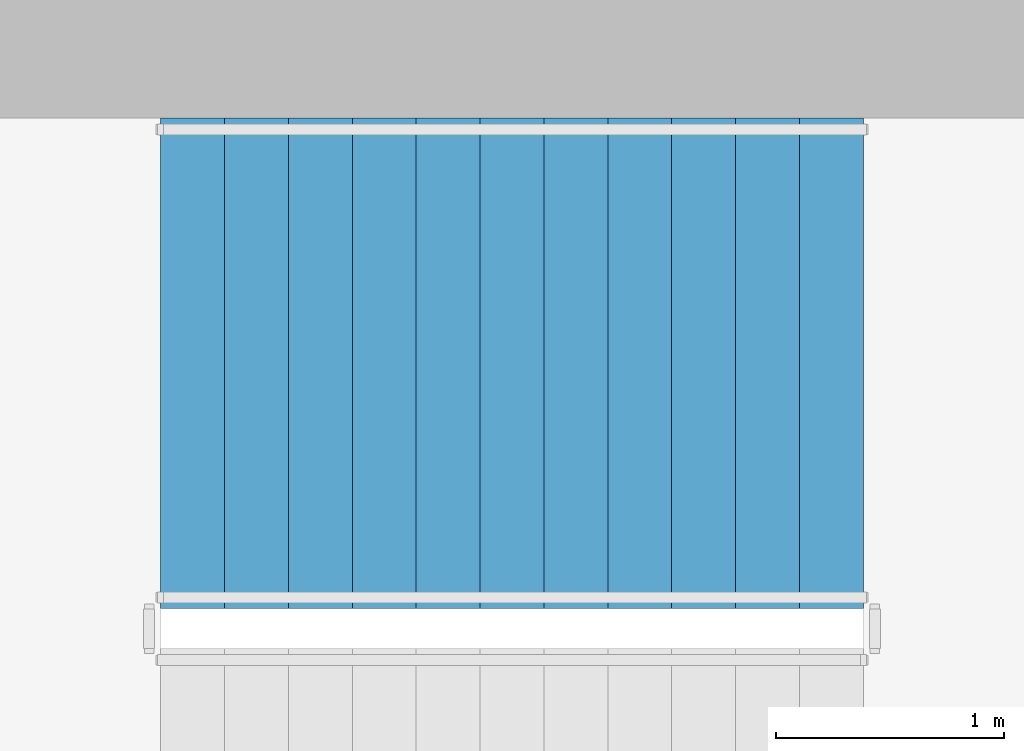
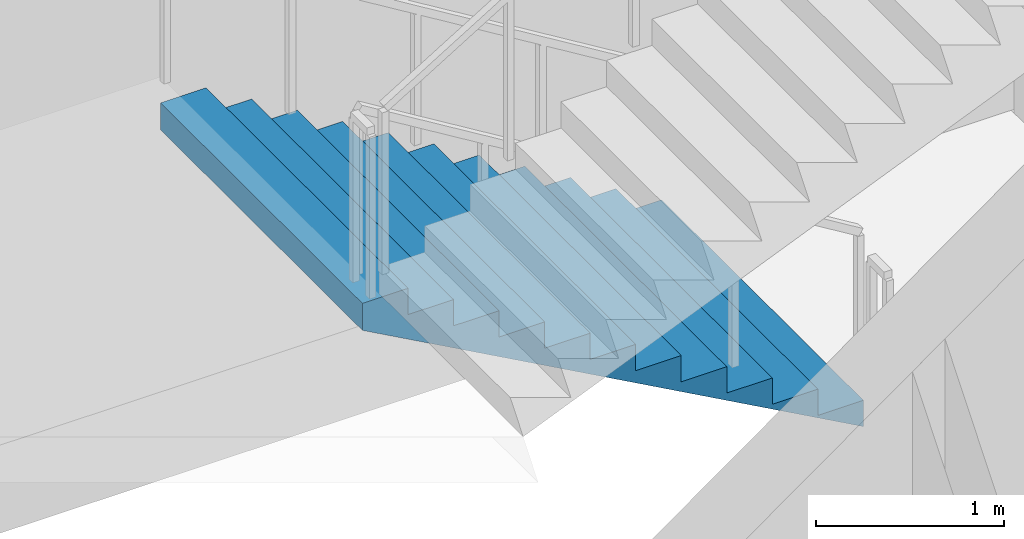
# One storey, part 9 of 14: 1 stair flight, 1 element without a shape of its own.
"""IFC4 building model written with IfcOpenShell, lengths in metres."""

from ifc_helpers import new_model, si_unit, direction, frame, origin, place, context, subcontext, project, spatial, triangles, material, type_object, element, aggregate, save


model = new_model("IFC4")

# Units and contexts
model_context = context("Model", 3, precision=1e-05, world=origin(), true_north=direction((0.0, 1.0)))
body_context = subcontext(model_context, "Body", "Model", "MODEL_VIEW")
ifc_project = project(units=[si_unit("LENGTHUNIT", "METRE"), si_unit("AREAUNIT", "SQUARE_METRE"), si_unit("VOLUMEUNIT", "CUBIC_METRE"), si_unit("PLANEANGLEUNIT", "RADIAN"), si_unit("MASSUNIT", "GRAM", prefix="KILO")], contexts=[model_context])

# Site, building, storey
site_placement = place(None, origin())
site = spatial("IfcSite", under=ifc_project, at=site_placement, CompositionType="ELEMENT")
building_placement = place(site_placement, origin())
building = spatial("IfcBuilding", under=site, at=building_placement, Name="Cypress Arch Tower", CompositionType="ELEMENT")
storey_placement = place(building_placement, frame((0.0, 0.0, 304.89990234375)))
storey = spatial("IfcBuildingStorey", under=building, at=storey_placement, Name="L69", CompositionType="ELEMENT", Elevation=304.89990234375)

# Stair, stair flight
ifc_material_1 = material(Name="Concrete C40/50", Category="concrete")
stair_type = type_object("IfcStairType", Name="Exit stair ES1708-215", PredefinedType="HALF_TURN_STAIR", material=ifc_material_1)
stair_placement = place(storey_placement, origin())
stair = element("IfcStair", 1, at=stair_placement, inside=storey, type_object=stair_type, Name="L69 Exit stair B", PredefinedType="HALF_TURN_STAIR")
ifc_material_2 = material(Name="Concrete C40/50", Category="concrete")
stair_flight_type = type_object("IfcStairFlightType", Name="Exit stair flight ES1708-215", PredefinedType="STRAIGHT", material=ifc_material_2)
stair_flight_placement = place(storey_placement, frame((-22.27490234375, 13.72509765625, 0.0), z_axis=(0.0, 0.0, 1.0), x_axis=(-1.0, 0.0, 0.0)))
stair_flight = element("IfcStairFlight", 2, at=stair_flight_placement, type_object=stair_flight_type, Name="B flight 1", NumberOfRisers=12, NumberOfTreads=11, PredefinedType="STRAIGHT", RiserHeight=0.170833333, TreadLength=0.28, context=body_context, shape_type="Tessellation", body=[
    triangles([(0.0, -1.074951171875, 0.0), (0.000244140625, -1.074951171875, 0.01904296875), (0.000244140625, -1.074951171875, 0.0380859375), (0.00048828125, -1.074951171875, 0.056884765625), (0.00048828125, -1.074951171875, 0.075927734375), (0.00048828125, -1.074951171875, 0.094970703125), (0.00048828125, -1.074951171875, 0.114013671875), (0.000244140625, -1.074951171875, 0.1328125), (0.000244140625, -1.074951171875, 0.15185546875), (0.0, -1.074951171875, 0.1708984375), (0.280029296875, -1.074951171875, 0.1708984375), (0.280029296875, -1.074951171875, 0.341552734375), (0.56005859375, -1.074951171875, 0.341552734375), (0.56005859375, -1.074951171875, 0.512451171875), (0.840087890625, -1.074951171875, 0.512451171875), (0.840087890625, -1.074951171875, 0.683349609375), (1.1201171875, -1.074951171875, 0.683349609375), (1.1201171875, -1.074951171875, 0.854248046875), (1.39990234375, -1.074951171875, 0.854248046875), (1.39990234375, -1.074951171875, 1.02490234375), (1.679931640625, -1.074951171875, 1.02490234375), (1.679931640625, -1.074951171875, 1.19580078125), (1.9599609375, -1.074951171875, 1.19580078125), (1.9599609375, -1.074951171875, 1.36669921875), (2.239990234375, -1.074951171875, 1.36669921875), (2.239990234375, -1.074951171875, 1.53759765625), (2.52001953125, -1.074951171875, 1.53759765625), (2.52001953125, -1.074951171875, 1.708251953125), (2.800048828125, -1.074951171875, 1.708251953125), (2.800048828125, -1.074951171875, 1.879150390625), (3.080078125, -1.074951171875, 1.879150390625), (3.079833984375, -1.074951171875, 1.859619140625), (3.079833984375, -1.074951171875, 1.840087890625), (3.07958984375, -1.074951171875, 1.820556640625), (3.07958984375, -1.074951171875, 1.801025390625), (3.07958984375, -1.074951171875, 1.78173828125), (3.07958984375, -1.074951171875, 1.76220703125), (3.079833984375, -1.074951171875, 1.74267578125), (3.079833984375, -1.074951171875, 1.72314453125), (3.080078125, -1.074951171875, 1.70361328125), (3.080078125, 1.074951171875, 1.70361328125), (3.079833984375, 1.074951171875, 1.72314453125), (3.079833984375, 1.074951171875, 1.74267578125), (3.07958984375, 1.074951171875, 1.76220703125), (3.07958984375, 1.074951171875, 1.78173828125), (3.07958984375, 1.074951171875, 1.801025390625), (3.07958984375, 1.074951171875, 1.820556640625), (3.079833984375, 1.074951171875, 1.840087890625), (3.079833984375, 1.074951171875, 1.859619140625), (3.080078125, 1.074951171875, 1.879150390625), (2.800048828125, 1.074951171875, 1.879150390625), (2.800048828125, 1.074951171875, 1.708251953125), (2.52001953125, 1.074951171875, 1.708251953125), (2.52001953125, 1.074951171875, 1.53759765625), (2.239990234375, 1.074951171875, 1.53759765625), (2.239990234375, 1.074951171875, 1.36669921875), (1.9599609375, 1.074951171875, 1.36669921875), (1.9599609375, 1.074951171875, 1.19580078125), (1.679931640625, 1.074951171875, 1.19580078125), (1.679931640625, 1.074951171875, 1.02490234375), (1.39990234375, 1.074951171875, 1.02490234375), (1.39990234375, 1.074951171875, 0.854248046875), (1.1201171875, 1.074951171875, 0.854248046875), (1.1201171875, 1.074951171875, 0.683349609375), (0.840087890625, 1.074951171875, 0.683349609375), (0.840087890625, 1.074951171875, 0.512451171875), (0.56005859375, 1.074951171875, 0.512451171875), (0.56005859375, 1.074951171875, 0.341552734375), (0.280029296875, 1.074951171875, 0.341552734375), (0.280029296875, 1.074951171875, 0.1708984375), (0.0, 1.074951171875, 0.1708984375), (0.000244140625, 1.074951171875, 0.15185546875), (0.000244140625, 1.074951171875, 0.1328125), (0.00048828125, 1.074951171875, 0.114013671875), (0.00048828125, 1.074951171875, 0.094970703125), (0.00048828125, 1.074951171875, 0.075927734375), (0.00048828125, 1.074951171875, 0.056884765625), (0.000244140625, 1.074951171875, 0.0380859375), (0.000244140625, 1.074951171875, 0.01904296875), (0.0, 1.074951171875, 0.0)], [[40, 39, 30], [39, 38, 30], [38, 37, 30], [37, 36, 30], [36, 35, 30], [35, 34, 30], [34, 33, 30], [33, 32, 30], [32, 31, 30], [19, 18, 17], [27, 26, 25], [25, 24, 23], [23, 22, 21], [17, 16, 15], [15, 14, 13], [10, 9, 11], [9, 8, 11], [8, 7, 11], [7, 6, 11], [6, 5, 11], [5, 4, 11], [4, 3, 11], [3, 2, 11], [2, 1, 11], [29, 28, 27], [21, 20, 19], [13, 12, 11], [40, 30, 29], [40, 29, 27], [40, 27, 25], [40, 25, 23], [40, 23, 21], [40, 21, 19], [40, 19, 17], [40, 17, 15], [40, 15, 13], [1, 40, 13], [13, 11, 1], [41, 51, 42], [42, 51, 43], [43, 51, 44], [44, 51, 45], [45, 51, 46], [46, 51, 47], [47, 51, 48], [48, 51, 49], [49, 51, 50], [62, 64, 63], [54, 56, 55], [56, 58, 57], [58, 60, 59], [64, 66, 65], [66, 68, 67], [71, 70, 72], [72, 70, 73], [73, 70, 74], [74, 70, 75], [75, 70, 76], [76, 70, 77], [77, 70, 78], [78, 70, 79], [79, 70, 80], [52, 54, 53], [60, 62, 61], [68, 70, 69], [41, 52, 51], [41, 54, 52], [41, 56, 54], [41, 58, 56], [41, 60, 58], [41, 62, 60], [41, 64, 62], [41, 66, 64], [41, 68, 66], [80, 68, 41], [68, 80, 70], [41, 42, 39], [41, 39, 40], [42, 43, 38], [42, 38, 39], [43, 44, 37], [43, 37, 38], [44, 45, 36], [44, 36, 37], [45, 46, 35], [45, 35, 36], [46, 47, 34], [46, 34, 35], [47, 48, 33], [47, 33, 34], [48, 49, 32], [48, 32, 33], [49, 50, 31], [49, 31, 32], [50, 51, 30], [50, 30, 31], [51, 52, 29], [51, 29, 30], [52, 53, 28], [52, 28, 29], [53, 54, 27], [53, 27, 28], [54, 55, 26], [54, 26, 27], [55, 56, 25], [55, 25, 26], [56, 57, 24], [56, 24, 25], [57, 58, 23], [57, 23, 24], [58, 59, 22], [58, 22, 23], [59, 60, 21], [59, 21, 22], [60, 61, 20], [60, 20, 21], [61, 62, 19], [61, 19, 20], [62, 63, 18], [62, 18, 19], [63, 64, 17], [63, 17, 18], [64, 65, 16], [64, 16, 17], [65, 66, 15], [65, 15, 16], [66, 67, 14], [66, 14, 15], [67, 68, 13], [67, 13, 14], [68, 69, 12], [68, 12, 13], [69, 70, 11], [69, 11, 12], [70, 71, 10], [70, 10, 11], [71, 72, 9], [71, 9, 10], [72, 73, 8], [72, 8, 9], [73, 74, 7], [73, 7, 8], [74, 75, 6], [74, 6, 7], [75, 76, 5], [75, 5, 6], [76, 77, 4], [76, 4, 5], [77, 78, 3], [77, 3, 4], [78, 79, 2], [78, 2, 3], [79, 80, 1], [79, 1, 2], [80, 41, 40], [80, 40, 1]], closed=True),
])
aggregate(stair, [stair_flight])

save(model, "model.ifc")
